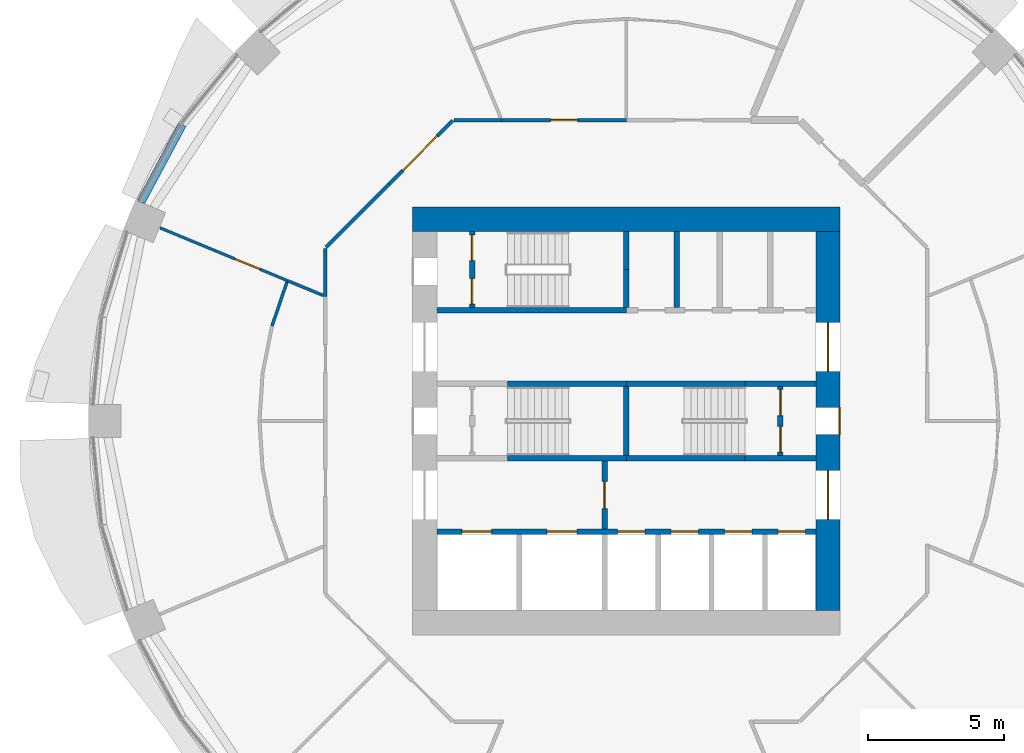
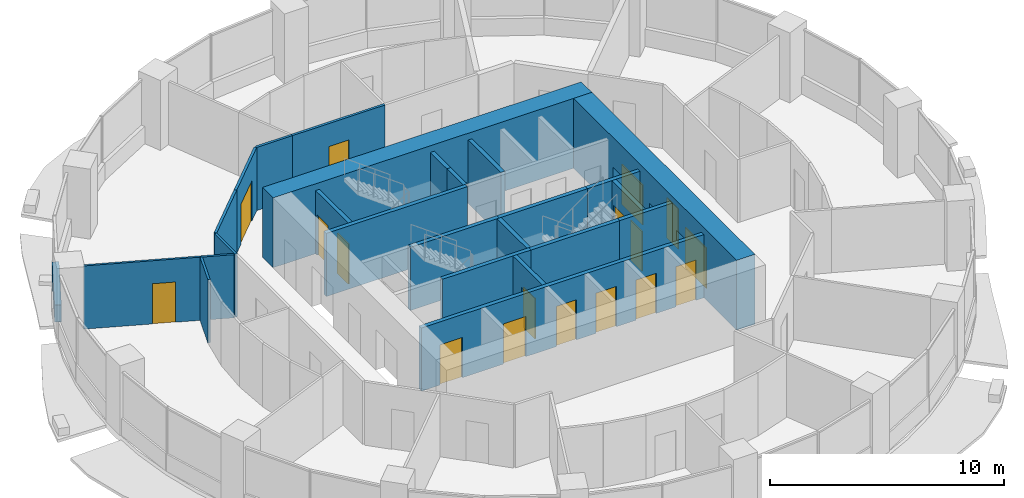
# One storey, part 9 of 15: 26 walls, 17 doors, 17 openings.
"""IFC4 building model written with IfcOpenShell, lengths in metres."""

from ifc_helpers import new_model, si_unit, direction, frame, frame_2d, origin, place, context, subcontext, project, spatial, rectangle, extrude, material, layer, layer_set, type_object, element, fill, save


model = new_model("IFC4")

# Units and contexts
model_context = context("Model", 3, precision=1e-05, world=origin(), true_north=direction((0.0, 1.0)))
body_context = subcontext(model_context, "Body", "Model", "MODEL_VIEW")
ifc_project = project(units=[si_unit("LENGTHUNIT", "METRE"), si_unit("AREAUNIT", "SQUARE_METRE"), si_unit("VOLUMEUNIT", "CUBIC_METRE"), si_unit("PLANEANGLEUNIT", "RADIAN"), si_unit("MASSUNIT", "GRAM", prefix="KILO")], contexts=[model_context])

# Site, building, storey
site_placement = place(None, origin())
site = spatial("IfcSite", under=ifc_project, at=site_placement, CompositionType="ELEMENT")
building_placement = place(site_placement, origin())
building = spatial("IfcBuilding", under=site, at=building_placement, Name="Polderwave Tower", CompositionType="ELEMENT")
storey_placement = place(building_placement, frame((0.0, 0.0, 26.199951171875)))
storey = spatial("IfcBuildingStorey", under=building, at=storey_placement, Name="L06", CompositionType="ELEMENT", Elevation=26.199951171875)

# Wall
ifc_material_1 = material(Name="Concrete C80/95", Category="concrete")
ifc_layer_1 = layer(ifc_material_1, 0.89990234375)
ifc_layer_set_1 = layer_set([ifc_layer_1], Name="CORE WALL 900 C80/95")
wall_type_1 = type_object("IfcWallType", Name="CORE WALL 900 C80/95", PredefinedType="SHEAR", material=ifc_layer_set_1)
wall_1_placement = place(storey_placement, frame((-7.8740234375, 7.424072265625, 0.0), z_axis=(0.0, 0.0, 1.0), x_axis=(1.0, 0.0, 0.0)))
element("IfcWall", 1, at=wall_1_placement, inside=storey, type_object=wall_type_1, Name="ST-CORE-L06-N", PredefinedType="SHEAR", context=body_context, shape_type="SweptSolid", body=[
    extrude(rectangle(XDim=15.748046875, YDim=0.89990234375, at=frame_2d((7.8740234375, 0.0))), origin(), (0.0, 0.0, 1.0), 3.650146484375),
])

# Wall, openings, doors
wall_2_placement = place(storey_placement, frame((7.424072265625, -6.97412109375, 0.0), z_axis=(0.0, 0.0, 1.0), x_axis=(0.0, 1.0, 0.0)))
wall_2 = element("IfcWall", 2, at=wall_2_placement, inside=storey, type_object=wall_type_1, Name="ST-CORE-L06-E", PredefinedType="SHEAR", context=body_context, shape_type="SweptSolid", body=[
    extrude(rectangle(XDim=13.9482421875, YDim=0.89990234375, at=frame_2d((6.97412109375, 0.0))), origin(), (0.0, 0.0, 1.0), 3.650146484375),
])
opening_1_placement = place(wall_2_placement, frame((6.47412109375, 0.0, 0.0)))
opening_1 = element("IfcOpeningElement", 3, at=opening_1_placement, cuts=wall_2, Name="Opening L06-D22", PredefinedType="OPENING", context=body_context, shape_type="SweptSolid", body=[
    extrude(rectangle(XDim=1.0, YDim=2.10009765625, at=frame_2d((0.5, 1.050048828125))), frame((0.0, 0.4599609375, 0.0), z_axis=(0.0, -1.0, 0.0), x_axis=(1.0, 0.0, 0.0)), (0.0, 0.0, 1.0), 0.919921875),
])
opening_2_placement = place(wall_2_placement, frame((3.349609375, 0.0, 0.0)))
opening_2 = element("IfcOpeningElement", 4, at=opening_2_placement, cuts=wall_2, Name="Opening L06-D23", PredefinedType="OPENING", context=body_context, shape_type="SweptSolid", body=[
    extrude(rectangle(XDim=1.800048828125, YDim=2.10009765625, at=frame_2d((0.89990234375, 1.050048828125))), frame((0.0, 0.4599609375, 0.0), z_axis=(0.0, -1.0, 0.0), x_axis=(1.0, 0.0, 0.0)), (0.0, 0.0, 1.0), 0.919921875),
])
opening_3_placement = place(wall_2_placement, frame((8.798583984375, 0.0, 0.0)))
opening_3 = element("IfcOpeningElement", 5, at=opening_3_placement, cuts=wall_2, Name="Opening L06-D24", PredefinedType="OPENING", context=body_context, shape_type="SweptSolid", body=[
    extrude(rectangle(XDim=1.800048828125, YDim=2.10009765625, at=frame_2d((0.89990234375, 1.050048828125))), frame((0.0, 0.4599609375, 0.0), z_axis=(0.0, -1.0, 0.0), x_axis=(1.0, 0.0, 0.0)), (0.0, 0.0, 1.0), 0.919921875),
])
ifc_material_2 = material(Name="Steel fire door", Category="steel")
door_type_1 = type_object("IfcDoorType", Name="Lobby entry door pair 1800", OperationType="DOUBLE_DOOR_SINGLE_SWING", PredefinedType="DOOR", material=ifc_material_2)
door_1_placement = place(opening_2_placement, frame((1.800048828125, 0.0, 0.0), z_axis=(0.0, 0.0, 1.0), x_axis=(-1.0, 0.0, 0.0)))
door_1 = element("IfcDoor", 6, at=door_1_placement, inside=storey, type_object=door_type_1, Name="South lobby entry door", OperationType="DOUBLE_DOOR_SINGLE_SWING", OverallHeight=2.10009765625, OverallWidth=1.800048828125, PredefinedType="DOOR", context=body_context, shape_type="SweptSolid", body=[
    extrude(rectangle(XDim=1.800048828125, YDim=2.10009765625, at=frame_2d((0.89990234375, 1.050048828125))), frame((0.0, 0.02490234375, 0.0), z_axis=(0.0, -1.0, 0.0), x_axis=(1.0, 0.0, 0.0)), (0.0, 0.0, 1.0), 0.050048828125),
])
fill(opening_2, door_1)
door_2_placement = place(opening_3_placement, frame((1.800048828125, 0.0, 0.0), z_axis=(0.0, 0.0, 1.0), x_axis=(-1.0, 0.0, 0.0)))
door_2 = element("IfcDoor", 7, at=door_2_placement, inside=storey, type_object=door_type_1, Name="North lobby entry door", OperationType="DOUBLE_DOOR_SINGLE_SWING", OverallHeight=2.10009765625, OverallWidth=1.800048828125, PredefinedType="DOOR", context=body_context, shape_type="SweptSolid", body=[
    extrude(rectangle(XDim=1.800048828125, YDim=2.10009765625, at=frame_2d((0.89990234375, 1.050048828125))), frame((0.0, 0.02490234375, 0.0), z_axis=(0.0, -1.0, 0.0), x_axis=(1.0, 0.0, 0.0)), (0.0, 0.0, 1.0), 0.050048828125),
])
fill(opening_3, door_2)
door_type_2 = type_object("IfcDoorType", Name="Stair door 1000", OperationType="NOTDEFINED", PredefinedType="DOOR", material=ifc_material_2)
door_3_placement = place(opening_1_placement, frame((1.0, 0.0, 0.0), z_axis=(0.0, 0.0, 1.0), x_axis=(-1.0, 0.0, 0.0)))
door_3 = element("IfcDoor", 8, at=door_3_placement, inside=storey, type_object=door_type_2, Name="Stair B entry door", OperationType="SINGLE_SWING_LEFT", OverallHeight=2.10009765625, OverallWidth=1.0, PredefinedType="DOOR", context=body_context, shape_type="SweptSolid", body=[
    extrude(rectangle(XDim=1.0, YDim=2.10009765625, at=frame_2d((0.5, 1.050048828125))), frame((0.0, 0.4501953125, 0.0), z_axis=(0.0, -1.0, 0.0), x_axis=(1.0, 0.0, 0.0)), (0.0, 0.0, 1.0), 0.050048828125),
])
fill(opening_1, door_3)

# Wall
ifc_material_3 = material(Name="Concrete C50/60 (board-marked)", Category="concrete")
ifc_layer_2 = layer(ifc_material_3, 0.300048828125)
ifc_layer_set_2 = layer_set([ifc_layer_2], Name="Concrete spandrel upstand C50/60")
wall_type_2 = type_object("IfcWallType", Name="Concrete spandrel upstand C50/60", PredefinedType="SOLIDWALL", material=ifc_layer_set_2)
wall_3_placement = place(storey_placement, frame((-16.34521484375, 10.90380859375, 0.0), z_axis=(0.0, 0.0, 1.0), x_axis=(-0.471217656413, -0.882016961449, 0.0)))
element("IfcWall", 9, at=wall_3_placement, inside=storey, type_object=wall_type_2, Name="Spandrel L06 7b", PredefinedType="SOLIDWALL", context=body_context, shape_type="SweptSolid", body=[
    extrude(rectangle(XDim=3.220458984375, YDim=0.300048828125, at=frame_2d((1.6103515625, 0.0))), origin(), (0.0, 0.0, 1.0), 0.900146484375),
])

# Wall, opening, door
ifc_material_4 = material(Name="Gypsum board partition")
ifc_layer_3 = layer(ifc_material_4, 0.199951171875)
ifc_layer_set_3 = layer_set([ifc_layer_3], Name="Core room partition 200")
wall_type_3 = type_object("IfcWallType", Name="Core room partition 200", PredefinedType="PARTITIONING", material=ifc_layer_set_3)
wall_4_placement = place(storey_placement, frame((-0.800048828125, -3.97412109375, 0.0), z_axis=(0.0, 0.0, 1.0), x_axis=(0.0, 1.0, 0.0)))
wall_4 = element("IfcWall", 10, at=wall_4_placement, inside=storey, type_object=wall_type_3, Name="L06 fire-fighting lobby wall", PredefinedType="PARTITIONING", context=body_context, shape_type="SweptSolid", body=[
    extrude(rectangle(XDim=2.4990234375, YDim=0.199951171875, at=frame_2d((1.24951171875, 0.0))), origin(), (0.0, 0.0, 1.0), 3.300048828125),
])
opening_4_placement = place(wall_4_placement, frame((0.74951171875, 0.0, 0.0)))
opening_4 = element("IfcOpeningElement", 11, at=opening_4_placement, cuts=wall_4, Name="Opening L06-D13", PredefinedType="OPENING", context=body_context, shape_type="SweptSolid", body=[
    extrude(rectangle(XDim=1.0, YDim=2.10009765625, at=frame_2d((0.5, 1.050048828125))), frame((0.0, 0.10986328125, 0.0), z_axis=(0.0, -1.0, 0.0), x_axis=(1.0, 0.0, 0.0)), (0.0, 0.0, 1.0), 0.219970703125),
])
door_type_3 = type_object("IfcDoorType", Name="Lobby fire door 1000", OperationType="NOTDEFINED", PredefinedType="DOOR", material=ifc_material_2)
door_4_placement = place(opening_4_placement, frame((1.0, 0.0, 0.0), z_axis=(0.0, 0.0, 1.0), x_axis=(-1.0, 0.0, 0.0)))
door_4 = element("IfcDoor", 12, at=door_4_placement, inside=storey, type_object=door_type_3, Name="Fire-fighting lobby door", OperationType="SINGLE_SWING_LEFT", OverallHeight=2.10009765625, OverallWidth=1.0, PredefinedType="DOOR", context=body_context, shape_type="SweptSolid", body=[
    extrude(rectangle(XDim=1.0, YDim=2.10009765625, at=frame_2d((0.5, 1.050048828125))), frame((0.0, 0.02490234375, 0.0), z_axis=(0.0, -1.0, 0.0), x_axis=(1.0, 0.0, 0.0)), (0.0, 0.0, 1.0), 0.050048828125),
])
fill(opening_4, door_4)

# Wall
wall_5_placement = place(storey_placement, frame((1.86083984375, 4.174072265625, 0.0), z_axis=(0.0, 0.0, 1.0), x_axis=(0.0, 1.0, 0.0)))
element("IfcWall", 13, at=wall_5_placement, inside=storey, type_object=wall_type_3, Name="L06 room partition N1", PredefinedType="PARTITIONING", context=body_context, shape_type="SweptSolid", body=[
    extrude(rectangle(XDim=2.800048828125, YDim=0.199951171875, at=frame_2d((1.39990234375, 0.0))), origin(), (0.0, 0.0, 1.0), 3.300048828125),
])

# Wall, openings, doors
wall_6_placement = place(storey_placement, frame((5.674072265625, -1.27490234375, 0.0), z_axis=(0.0, 0.0, 1.0), x_axis=(0.0, 1.0, 0.0)))
wall_6 = element("IfcWall", 14, at=wall_6_placement, inside=storey, type_object=wall_type_3, Name="L06 smoke lobby wall B", PredefinedType="PARTITIONING", context=body_context, shape_type="SweptSolid", body=[
    extrude(rectangle(XDim=2.5498046875, YDim=0.199951171875, at=frame_2d((1.27490234375, 0.0))), origin(), (0.0, 0.0, 1.0), 3.300048828125),
])
opening_5_placement = place(wall_6_placement, frame((0.125, 0.0, 0.0)))
opening_5 = element("IfcOpeningElement", 15, at=opening_5_placement, cuts=wall_6, Name="Opening L06-D09", PredefinedType="OPENING", context=body_context, shape_type="SweptSolid", body=[
    extrude(rectangle(XDim=0.949951171875, YDim=2.10009765625, at=frame_2d((0.47509765625, 1.050048828125))), frame((0.0, 0.10986328125, 0.0), z_axis=(0.0, -1.0, 0.0), x_axis=(1.0, 0.0, 0.0)), (0.0, 0.0, 1.0), 0.219970703125),
])
opening_6_placement = place(wall_6_placement, frame((1.47509765625, 0.0, 0.0)))
opening_6 = element("IfcOpeningElement", 16, at=opening_6_placement, cuts=wall_6, Name="Opening L06-D10", PredefinedType="OPENING", context=body_context, shape_type="SweptSolid", body=[
    extrude(rectangle(XDim=0.949951171875, YDim=2.10009765625, at=frame_2d((0.47509765625, 1.050048828125))), frame((0.0, 0.10986328125, 0.0), z_axis=(0.0, -1.0, 0.0), x_axis=(1.0, 0.0, 0.0)), (0.0, 0.0, 1.0), 0.219970703125),
])
door_type_4 = type_object("IfcDoorType", Name="Smoke lobby door 950", OperationType="NOTDEFINED", PredefinedType="DOOR", material=ifc_material_2)
door_5_placement = place(opening_5_placement, frame((0.949951171875, 0.0, 0.0), z_axis=(0.0, 0.0, 1.0), x_axis=(-1.0, 0.0, 0.0)))
door_5 = element("IfcDoor", 17, at=door_5_placement, inside=storey, type_object=door_type_4, Name="Stair B smoke lobby inner door", OperationType="SINGLE_SWING_RIGHT", OverallHeight=2.10009765625, OverallWidth=0.949951171875, PredefinedType="DOOR", context=body_context, shape_type="SweptSolid", body=[
    extrude(rectangle(XDim=0.949951171875, YDim=2.10009765625, at=frame_2d((0.47509765625, 1.050048828125))), frame((0.0, 0.02490234375, 0.0), z_axis=(0.0, -1.0, 0.0), x_axis=(1.0, 0.0, 0.0)), (0.0, 0.0, 1.0), 0.050048828125),
])
fill(opening_5, door_5)
door_6_placement = place(opening_6_placement, frame((0.949951171875, 0.0, 0.0), z_axis=(0.0, 0.0, 1.0), x_axis=(-1.0, 0.0, 0.0)))
door_6 = element("IfcDoor", 18, at=door_6_placement, inside=storey, type_object=door_type_4, Name="Stair B smoke lobby inner door", OperationType="SINGLE_SWING_LEFT", OverallHeight=2.10009765625, OverallWidth=0.949951171875, PredefinedType="DOOR", context=body_context, shape_type="SweptSolid", body=[
    extrude(rectangle(XDim=0.949951171875, YDim=2.10009765625, at=frame_2d((0.47509765625, 1.050048828125))), frame((0.0, 0.02490234375, 0.0), z_axis=(0.0, -1.0, 0.0), x_axis=(1.0, 0.0, 0.0)), (0.0, 0.0, 1.0), 0.050048828125),
])
fill(opening_6, door_6)

wall_7_placement = place(storey_placement, frame((-5.674072265625, 4.174072265625, 0.0), z_axis=(0.0, 0.0, 1.0), x_axis=(0.0, 1.0, 0.0)))
wall_7 = element("IfcWall", 19, at=wall_7_placement, inside=storey, type_object=wall_type_3, Name="L06 smoke lobby wall C", PredefinedType="PARTITIONING", context=body_context, shape_type="SweptSolid", body=[
    extrude(rectangle(XDim=2.800048828125, YDim=0.199951171875, at=frame_2d((1.39990234375, 0.0))), origin(), (0.0, 0.0, 1.0), 3.300048828125),
])
opening_7_placement = place(wall_7_placement, frame((0.125, 0.0, 0.0)))
opening_7 = element("IfcOpeningElement", 20, at=opening_7_placement, cuts=wall_7, Name="Opening L06-D11", PredefinedType="OPENING", context=body_context, shape_type="SweptSolid", body=[
    extrude(rectangle(XDim=0.949951171875, YDim=2.10009765625, at=frame_2d((0.47509765625, 1.050048828125))), frame((0.0, 0.10986328125, 0.0), z_axis=(0.0, -1.0, 0.0), x_axis=(1.0, 0.0, 0.0)), (0.0, 0.0, 1.0), 0.219970703125),
])
opening_8_placement = place(wall_7_placement, frame((1.72509765625, 0.0, 0.0)))
opening_8 = element("IfcOpeningElement", 21, at=opening_8_placement, cuts=wall_7, Name="Opening L06-D12", PredefinedType="OPENING", context=body_context, shape_type="SweptSolid", body=[
    extrude(rectangle(XDim=0.949951171875, YDim=2.10009765625, at=frame_2d((0.47509765625, 1.050048828125))), frame((0.0, 0.10986328125, 0.0), z_axis=(0.0, -1.0, 0.0), x_axis=(1.0, 0.0, 0.0)), (0.0, 0.0, 1.0), 0.219970703125),
])
door_7_placement = place(opening_7_placement, origin())
door_7 = element("IfcDoor", 22, at=door_7_placement, inside=storey, type_object=door_type_4, Name="Stair C smoke lobby inner door", OperationType="SINGLE_SWING_LEFT", OverallHeight=2.10009765625, OverallWidth=0.949951171875, PredefinedType="DOOR", context=body_context, shape_type="SweptSolid", body=[
    extrude(rectangle(XDim=0.949951171875, YDim=2.10009765625, at=frame_2d((0.47509765625, 1.050048828125))), frame((0.0, 0.02490234375, 0.0), z_axis=(0.0, -1.0, 0.0), x_axis=(1.0, 0.0, 0.0)), (0.0, 0.0, 1.0), 0.050048828125),
])
fill(opening_7, door_7)
door_8_placement = place(opening_8_placement, origin())
door_8 = element("IfcDoor", 23, at=door_8_placement, inside=storey, type_object=door_type_4, Name="Stair C smoke lobby inner door", OperationType="SINGLE_SWING_RIGHT", OverallHeight=2.10009765625, OverallWidth=0.949951171875, PredefinedType="DOOR", context=body_context, shape_type="SweptSolid", body=[
    extrude(rectangle(XDim=0.949951171875, YDim=2.10009765625, at=frame_2d((0.47509765625, 1.050048828125))), frame((0.0, 0.02490234375, 0.0), z_axis=(0.0, -1.0, 0.0), x_axis=(1.0, 0.0, 0.0)), (0.0, 0.0, 1.0), 0.050048828125),
])
fill(opening_8, door_8)

ifc_material_5 = material(Name="Concrete C50/60", Category="concrete")
ifc_layer_4 = layer(ifc_material_5, 0.199951171875)
ifc_layer_set_4 = layer_set([ifc_layer_4], Name="Core web wall 200")
wall_type_4 = type_object("IfcWallType", Name="Core web wall 200", PredefinedType="SHEAR", material=ifc_layer_set_4)
wall_8_placement = place(storey_placement, frame((-6.97412109375, -4.073974609375, 0.0), z_axis=(0.0, 0.0, 1.0), x_axis=(1.0, 0.0, 0.0)))
wall_8 = element("IfcWall", 24, at=wall_8_placement, inside=storey, type_object=wall_type_4, Name="L06 south front wall", PredefinedType="SHEAR", context=body_context, shape_type="SweptSolid", body=[
    extrude(rectangle(XDim=13.9482421875, YDim=0.199951171875, at=frame_2d((6.97412109375, 0.0))), origin(), (0.0, 0.0, 1.0), 3.300048828125),
])
opening_9_placement = place(wall_8_placement, frame((0.91845703125, 0.0, 0.0)))
opening_9 = element("IfcOpeningElement", 25, at=opening_9_placement, cuts=wall_8, Name="Opening L06-D01", PredefinedType="OPENING", context=body_context, shape_type="SweptSolid", body=[
    extrude(rectangle(XDim=1.10009765625, YDim=2.10009765625, at=frame_2d((0.550048828125, 1.050048828125))), frame((0.0, 0.10986328125, 0.0), z_axis=(0.0, -1.0, 0.0), x_axis=(1.0, 0.0, 0.0)), (0.0, 0.0, 1.0), 0.219970703125),
])
opening_10_placement = place(wall_8_placement, frame((4.055419921875, 0.0, 0.0)))
opening_10 = element("IfcOpeningElement", 26, at=opening_10_placement, cuts=wall_8, Name="Opening L06-D02", PredefinedType="OPENING", context=body_context, shape_type="SweptSolid", body=[
    extrude(rectangle(XDim=1.10009765625, YDim=2.10009765625, at=frame_2d((0.550048828125, 1.050048828125))), frame((0.0, 0.10986328125, 0.0), z_axis=(0.0, -1.0, 0.0), x_axis=(1.0, 0.0, 0.0)), (0.0, 0.0, 1.0), 0.219970703125),
])
opening_11_placement = place(wall_8_placement, frame((6.658203125, 0.0, 0.0)))
opening_11 = element("IfcOpeningElement", 27, at=opening_11_placement, cuts=wall_8, Name="Opening L06-D03", PredefinedType="OPENING", context=body_context, shape_type="SweptSolid", body=[
    extrude(rectangle(XDim=1.0, YDim=2.10009765625, at=frame_2d((0.5, 1.050048828125))), frame((0.0, 0.10986328125, 0.0), z_axis=(0.0, -1.0, 0.0), x_axis=(1.0, 0.0, 0.0)), (0.0, 0.0, 1.0), 0.219970703125),
])
opening_12_placement = place(wall_8_placement, frame((8.626708984375, 0.0, 0.0)))
opening_12 = element("IfcOpeningElement", 28, at=opening_12_placement, cuts=wall_8, Name="Opening L06-D04", PredefinedType="OPENING", context=body_context, shape_type="SweptSolid", body=[
    extrude(rectangle(XDim=1.0, YDim=2.10009765625, at=frame_2d((0.5, 1.050048828125))), frame((0.0, 0.10986328125, 0.0), z_axis=(0.0, -1.0, 0.0), x_axis=(1.0, 0.0, 0.0)), (0.0, 0.0, 1.0), 0.219970703125),
])
opening_13_placement = place(wall_8_placement, frame((10.59521484375, 0.0, 0.0)))
opening_13 = element("IfcOpeningElement", 29, at=opening_13_placement, cuts=wall_8, Name="Opening L06-D05", PredefinedType="OPENING", context=body_context, shape_type="SweptSolid", body=[
    extrude(rectangle(XDim=1.0, YDim=2.10009765625, at=frame_2d((0.5, 1.050048828125))), frame((0.0, 0.10986328125, 0.0), z_axis=(0.0, -1.0, 0.0), x_axis=(1.0, 0.0, 0.0)), (0.0, 0.0, 1.0), 0.219970703125),
])
opening_14_placement = place(wall_8_placement, frame((12.563720703125, 0.0, 0.0)))
opening_14 = element("IfcOpeningElement", 30, at=opening_14_placement, cuts=wall_8, Name="Opening L06-D06", PredefinedType="OPENING", context=body_context, shape_type="SweptSolid", body=[
    extrude(rectangle(XDim=1.0, YDim=2.10009765625, at=frame_2d((0.5, 1.050048828125))), frame((0.0, 0.10986328125, 0.0), z_axis=(0.0, -1.0, 0.0), x_axis=(1.0, 0.0, 0.0)), (0.0, 0.0, 1.0), 0.219970703125),
])
ifc_material_6 = material(Name="Stainless steel", Category="steel")
door_type_5 = type_object("IfcDoorType", Name="Fire-fighting lift landing door 1100", OperationType="DOUBLE_DOOR_SLIDING", PredefinedType="DOOR", material=ifc_material_6)
door_9_placement = place(opening_9_placement, origin())
door_9 = element("IfcDoor", 31, at=door_9_placement, inside=storey, type_object=door_type_5, Name="Fire-fighting lift FF1 landing door", OperationType="DOUBLE_DOOR_SLIDING", OverallHeight=2.10009765625, OverallWidth=1.10009765625, PredefinedType="DOOR", context=body_context, shape_type="SweptSolid", body=[
    extrude(rectangle(XDim=1.10009765625, YDim=2.10009765625, at=frame_2d((0.550048828125, 1.050048828125))), frame((0.0, 0.02490234375, 0.0), z_axis=(0.0, -1.0, 0.0), x_axis=(1.0, 0.0, 0.0)), (0.0, 0.0, 1.0), 0.050048828125),
])
fill(opening_9, door_9)
door_10_placement = place(opening_10_placement, origin())
door_10 = element("IfcDoor", 32, at=door_10_placement, inside=storey, type_object=door_type_5, Name="Fire-fighting lift FF2 landing door", OperationType="DOUBLE_DOOR_SLIDING", OverallHeight=2.10009765625, OverallWidth=1.10009765625, PredefinedType="DOOR", context=body_context, shape_type="SweptSolid", body=[
    extrude(rectangle(XDim=1.10009765625, YDim=2.10009765625, at=frame_2d((0.550048828125, 1.050048828125))), frame((0.0, 0.02490234375, 0.0), z_axis=(0.0, -1.0, 0.0), x_axis=(1.0, 0.0, 0.0)), (0.0, 0.0, 1.0), 0.050048828125),
])
fill(opening_10, door_10)
door_type_6 = type_object("IfcDoorType", Name="Lift landing door 1000", OperationType="DOUBLE_DOOR_SLIDING", PredefinedType="DOOR", material=ifc_material_6)
door_11_placement = place(opening_11_placement, origin())
door_11 = element("IfcDoor", 33, at=door_11_placement, inside=storey, type_object=door_type_6, Name="Lift LL1 landing door", OperationType="DOUBLE_DOOR_SLIDING", OverallHeight=2.10009765625, OverallWidth=1.0, PredefinedType="DOOR", context=body_context, shape_type="SweptSolid", body=[
    extrude(rectangle(XDim=1.0, YDim=2.10009765625, at=frame_2d((0.5, 1.050048828125))), frame((0.0, 0.02490234375, 0.0), z_axis=(0.0, -1.0, 0.0), x_axis=(1.0, 0.0, 0.0)), (0.0, 0.0, 1.0), 0.050048828125),
])
fill(opening_11, door_11)
door_12_placement = place(opening_12_placement, origin())
door_12 = element("IfcDoor", 34, at=door_12_placement, inside=storey, type_object=door_type_6, Name="Lift LL2 landing door", OperationType="DOUBLE_DOOR_SLIDING", OverallHeight=2.10009765625, OverallWidth=1.0, PredefinedType="DOOR", context=body_context, shape_type="SweptSolid", body=[
    extrude(rectangle(XDim=1.0, YDim=2.10009765625, at=frame_2d((0.5, 1.050048828125))), frame((0.0, 0.02490234375, 0.0), z_axis=(0.0, -1.0, 0.0), x_axis=(1.0, 0.0, 0.0)), (0.0, 0.0, 1.0), 0.050048828125),
])
fill(opening_12, door_12)
door_13_placement = place(opening_13_placement, origin())
door_13 = element("IfcDoor", 35, at=door_13_placement, inside=storey, type_object=door_type_6, Name="Lift LL3 landing door", OperationType="DOUBLE_DOOR_SLIDING", OverallHeight=2.10009765625, OverallWidth=1.0, PredefinedType="DOOR", context=body_context, shape_type="SweptSolid", body=[
    extrude(rectangle(XDim=1.0, YDim=2.10009765625, at=frame_2d((0.5, 1.050048828125))), frame((0.0, 0.02490234375, 0.0), z_axis=(0.0, -1.0, 0.0), x_axis=(1.0, 0.0, 0.0)), (0.0, 0.0, 1.0), 0.050048828125),
])
fill(opening_13, door_13)
door_14_placement = place(opening_14_placement, origin())
door_14 = element("IfcDoor", 36, at=door_14_placement, inside=storey, type_object=door_type_6, Name="Lift LL4 landing door", OperationType="DOUBLE_DOOR_SLIDING", OverallHeight=2.10009765625, OverallWidth=1.0, PredefinedType="DOOR", context=body_context, shape_type="SweptSolid", body=[
    extrude(rectangle(XDim=1.0, YDim=2.10009765625, at=frame_2d((0.5, 1.050048828125))), frame((0.0, 0.02490234375, 0.0), z_axis=(0.0, -1.0, 0.0), x_axis=(1.0, 0.0, 0.0)), (0.0, 0.0, 1.0), 0.050048828125),
])
fill(opening_14, door_14)

# Walls
wall_9_placement = place(storey_placement, frame((-6.97412109375, 4.073974609375, 0.0), z_axis=(0.0, 0.0, 1.0), x_axis=(1.0, 0.0, 0.0)))
element("IfcWall", 37, at=wall_9_placement, inside=storey, type_object=wall_type_4, Name="L06 north front wall 1", PredefinedType="SHEAR", context=body_context, shape_type="SweptSolid", body=[
    extrude(rectangle(XDim=6.97412109375, YDim=0.199951171875, at=frame_2d((3.487060546875, 0.0))), origin(), (0.0, 0.0, 1.0), 3.300048828125),
])
for number, where, z_axis, x_axis, name in (
    (38, (-4.3740234375, -1.375, 0.0), (0.0, 0.0, 1.0), (1.0, 0.0, 0.0), "L06 south stair wall 2"),
    (39, (0.0, -1.375, 0.0), (0.0, 0.0, 1.0), (1.0, 0.0, 0.0), "L06 south stair wall 3"),
):
    element("IfcWall", number, at=place(storey_placement, frame(where, z_axis=z_axis, x_axis=x_axis)), inside=storey, type_object=wall_type_4, Name=name, PredefinedType="SHEAR", context=body_context, shape_type="SweptSolid", body=[
        extrude(rectangle(XDim=4.3740234375, YDim=0.199951171875, at=frame_2d((2.18701171875, 0.0))), origin(), (0.0, 0.0, 1.0), 3.300048828125),
    ])
wall_10_placement = place(storey_placement, frame((4.3740234375, -1.375, 0.0), z_axis=(0.0, 0.0, 1.0), x_axis=(1.0, 0.0, 0.0)))
element("IfcWall", 40, at=wall_10_placement, inside=storey, type_object=wall_type_4, Name="L06 south stair wall 4", PredefinedType="SHEAR", context=body_context, shape_type="SweptSolid", body=[
    extrude(rectangle(XDim=2.60009765625, YDim=0.199951171875, at=frame_2d((1.300048828125, 0.0))), origin(), (0.0, 0.0, 1.0), 3.300048828125),
])
for number, where, z_axis, x_axis, name in (
    (41, (-4.3740234375, 1.375, 0.0), (0.0, 0.0, 1.0), (1.0, 0.0, 0.0), "L06 north stair wall 2"),
    (42, (0.0, 1.375, 0.0), (0.0, 0.0, 1.0), (1.0, 0.0, 0.0), "L06 north stair wall 3"),
):
    element("IfcWall", number, at=place(storey_placement, frame(where, z_axis=z_axis, x_axis=x_axis)), inside=storey, type_object=wall_type_4, Name=name, PredefinedType="SHEAR", context=body_context, shape_type="SweptSolid", body=[
        extrude(rectangle(XDim=4.3740234375, YDim=0.199951171875, at=frame_2d((2.18701171875, 0.0))), origin(), (0.0, 0.0, 1.0), 3.300048828125),
    ])
wall_11_placement = place(storey_placement, frame((4.3740234375, 1.375, 0.0), z_axis=(0.0, 0.0, 1.0), x_axis=(1.0, 0.0, 0.0)))
element("IfcWall", 43, at=wall_11_placement, inside=storey, type_object=wall_type_4, Name="L06 north stair wall 4", PredefinedType="SHEAR", context=body_context, shape_type="SweptSolid", body=[
    extrude(rectangle(XDim=2.60009765625, YDim=0.199951171875, at=frame_2d((1.300048828125, 0.0))), origin(), (0.0, 0.0, 1.0), 3.300048828125),
])
wall_12_placement = place(storey_placement, frame((0.0, -1.27490234375, 0.0), z_axis=(0.0, 0.0, 1.0), x_axis=(0.0, 1.0, 0.0)))
element("IfcWall", 44, at=wall_12_placement, inside=storey, type_object=wall_type_4, Name="L06 wall between the stairs", PredefinedType="SHEAR", context=body_context, shape_type="SweptSolid", body=[
    extrude(rectangle(XDim=2.5498046875, YDim=0.199951171875, at=frame_2d((1.27490234375, 0.0))), origin(), (0.0, 0.0, 1.0), 3.300048828125),
])
wall_13_placement = place(storey_placement, frame((0.0, 4.174072265625, 0.0), z_axis=(0.0, 0.0, 1.0), x_axis=(0.0, 1.0, 0.0)))
element("IfcWall", 45, at=wall_13_placement, inside=storey, type_object=wall_type_4, Name="L06 stair C wall south", PredefinedType="SHEAR", context=body_context, shape_type="SweptSolid", body=[
    extrude(rectangle(XDim=1.39990234375, YDim=0.199951171875, at=frame_2d((0.699951171875, 0.0))), origin(), (0.0, 0.0, 1.0), 3.300048828125),
])
wall_14_placement = place(storey_placement, frame((0.0, 5.573974609375, 0.0), z_axis=(0.0, 0.0, 1.0), x_axis=(0.0, 1.0, 0.0)))
element("IfcWall", 46, at=wall_14_placement, inside=storey, type_object=wall_type_4, Name="L06 stair C wall north", PredefinedType="SHEAR", context=body_context, shape_type="SweptSolid", body=[
    extrude(rectangle(XDim=1.400146484375, YDim=0.199951171875, at=frame_2d((0.7001953125, 0.0))), origin(), (0.0, 0.0, 1.0), 3.300048828125),
])

# Wall, opening, door
ifc_material_7 = material(Name="Fire-resisting board on steel studs", Category="steel")
ifc_layer_5 = layer(ifc_material_7, 0.125)
ifc_layer_set_5 = layer_set([ifc_layer_5], Name="Corridor wall 125 mm EI 60")
wall_type_5 = type_object("IfcWallType", Name="Corridor wall 125 mm EI 60", PredefinedType="PARTITIONING", material=ifc_layer_set_5)
wall_15_placement = place(storey_placement, frame((-4.5869140625, 11.073974609375, 0.0), z_axis=(0.0, 0.0, 1.0), x_axis=(1.0, 0.0, 0.0)))
wall_15 = element("IfcWall", 47, at=wall_15_placement, inside=storey, type_object=wall_type_5, Name="IN-L06-W009", PredefinedType="PARTITIONING", context=body_context, shape_type="SweptSolid", body=[
    extrude(rectangle(XDim=4.5869140625, YDim=0.125, at=frame_2d((2.29345703125, 0.0))), origin(), (0.0, 0.0, 1.0), 3.300048828125),
])
opening_15_placement = place(wall_15_placement, frame((1.800048828125, 0.0, 0.0)))
opening_15 = element("IfcOpeningElement", 48, at=opening_15_placement, cuts=wall_15, Name="Opening L06-D55", PredefinedType="OPENING", context=body_context, shape_type="SweptSolid", body=[
    extrude(rectangle(XDim=1.0, YDim=2.10009765625, at=frame_2d((0.5, 1.050048828125))), frame((0.0, 0.072509765625, 0.0), z_axis=(0.0, -1.0, 0.0), x_axis=(1.0, 0.0, 0.0)), (0.0, 0.0, 1.0), 0.14501953125),
])
ifc_material_8 = material(Name="Timber fire door leaf", Category="wood")
door_type_7 = type_object("IfcDoorType", Name="Fire door FD30S 1000 x 2100", OperationType="NOTDEFINED", PredefinedType="DOOR", material=ifc_material_8)
door_15_placement = place(opening_15_placement, origin())
door_15 = element("IfcDoor", 49, at=door_15_placement, inside=storey, type_object=door_type_7, Name="Door L06-D55", OperationType="SINGLE_SWING_RIGHT", OverallHeight=2.10009765625, OverallWidth=1.0, PredefinedType="DOOR", context=body_context, shape_type="SweptSolid", body=[
    extrude(rectangle(XDim=1.0, YDim=2.10009765625, at=frame_2d((0.5, 1.050048828125))), frame((0.0, 0.02490234375, 0.0), z_axis=(0.0, -1.0, 0.0), x_axis=(1.0, 0.0, 0.0)), (0.0, 0.0, 1.0), 0.050048828125),
])
fill(opening_15, door_15)

wall_16_placement = place(storey_placement, frame((-8.722412109375, 8.722412109375, 0.0), z_axis=(0.0, 0.0, 1.0), x_axis=(0.707069784102, 0.707143776336, 0.0)))
wall_16 = element("IfcWall", 50, at=wall_16_placement, inside=storey, type_object=wall_type_5, Name="IN-L06-W010", PredefinedType="PARTITIONING", context=body_context, shape_type="SweptSolid", body=[
    extrude(rectangle(XDim=3.299560546875, YDim=0.125, at=frame_2d((1.64990234375, 0.0))), origin(), (0.0, 0.0, 1.0), 3.300048828125),
])
opening_16_placement = place(wall_16_placement, frame((0.699951171875, 0.0, 0.0)))
opening_16 = element("IfcOpeningElement", 51, at=opening_16_placement, cuts=wall_16, Name="Opening L06-D56", PredefinedType="OPENING", context=body_context, shape_type="SweptSolid", body=[
    extrude(rectangle(XDim=1.800048828125, YDim=2.10009765625, at=frame_2d((0.89990234375, 1.050048828125))), frame((0.0, 0.072509765625, 0.0), z_axis=(0.0, -1.0, 0.0), x_axis=(1.0, 0.0, 0.0)), (0.0, 0.0, 1.0), 0.14501953125),
])
ifc_material_9 = material(Name="Timber fire door leaves", Category="wood")
door_type_8 = type_object("IfcDoorType", Name="Double fire door FD30S 1800 x 2100", OperationType="NOTDEFINED", PredefinedType="DOOR", material=ifc_material_9)
door_16_placement = place(opening_16_placement, origin())
door_16 = element("IfcDoor", 52, at=door_16_placement, inside=storey, type_object=door_type_8, Name="Door L06-D56", OperationType="DOUBLE_DOOR_SINGLE_SWING", OverallHeight=2.10009765625, OverallWidth=1.800048828125, PredefinedType="DOOR", context=body_context, shape_type="SweptSolid", body=[
    extrude(rectangle(XDim=1.800048828125, YDim=2.10009765625, at=frame_2d((0.89990234375, 1.050048828125))), frame((0.0, 0.02490234375, 0.0), z_axis=(0.0, -1.0, 0.0), x_axis=(1.0, 0.0, 0.0)), (0.0, 0.0, 1.0), 0.050048828125),
])
fill(opening_16, door_16)

# Walls
for number, where, z_axis, x_axis, name in (
    (53, (-6.34521484375, 11.073974609375, 0.0), (0.0, 0.0, 1.0), (1.0, 0.0, 0.0), "IN-L06-W011"),
    (54, (-11.073974609375, 4.5869140625, 0.0), (0.0, 0.0, 1.0), (0.0, 1.0, 0.0), "IN-L06-W012"),
):
    element("IfcWall", number, at=place(storey_placement, frame(where, z_axis=z_axis, x_axis=x_axis)), inside=storey, type_object=wall_type_5, Name=name, PredefinedType="PARTITIONING", context=body_context, shape_type="SweptSolid", body=[
        extrude(rectangle(XDim=1.75830078125, YDim=0.125, at=frame_2d((0.879150390625, 0.0))), origin(), (0.0, 0.0, 1.0), 3.300048828125),
    ])
wall_17_placement = place(storey_placement, frame((-11.0556640625, 6.389404296875, 0.0), z_axis=(0.0, 0.0, 1.0), x_axis=(0.707143776336, 0.707069784102, 0.0)))
element("IfcWall", 55, at=wall_17_placement, inside=storey, type_object=wall_type_5, Name="IN-L06-W013", PredefinedType="PARTITIONING", context=body_context, shape_type="SweptSolid", body=[
    extrude(rectangle(XDim=3.299560546875, YDim=0.125, at=frame_2d((1.64990234375, 0.0))), origin(), (0.0, 0.0, 1.0), 3.300048828125),
])

# Wall, opening, door
ifc_material_10 = material(Name="Plasterboard on steel studs", Category="steel")
ifc_layer_6 = layer(ifc_material_10, 0.10009765625)
ifc_layer_set_6 = layer_set([ifc_layer_6], Name="Partition 100 mm plasterboard on steel studs")
wall_type_6 = type_object("IfcWallType", Name="Partition 100 mm plasterboard on steel studs", PredefinedType="PARTITIONING", material=ifc_layer_set_6)
wall_18_placement = place(storey_placement, frame((-12.472412109375, 5.166259765625, 0.0), z_axis=(0.0, 0.0, 1.0), x_axis=(-0.923881258966, 0.382679264308, 0.0)))
wall_18 = element("IfcWall", 56, at=wall_18_placement, inside=storey, type_object=wall_type_6, Name="IN-L06-W045", PredefinedType="PARTITIONING", context=body_context, shape_type="SweptSolid", body=[
    extrude(rectangle(XDim=5.070068359375, YDim=0.10009765625, at=frame_2d((2.53515625, 0.0))), origin(), (0.0, 0.0, 1.0), 3.300048828125),
])
opening_17_placement = place(wall_18_placement, frame((1.10009765625, 0.0, 0.0)))
opening_17 = element("IfcOpeningElement", 57, at=opening_17_placement, cuts=wall_18, Name="Opening L06-D64", PredefinedType="OPENING", context=body_context, shape_type="SweptSolid", body=[
    extrude(rectangle(XDim=1.0, YDim=2.10009765625, at=frame_2d((0.5, 1.050048828125))), frame((0.0, 0.06005859375, 0.0), z_axis=(0.0, -1.0, 0.0), x_axis=(1.0, 0.0, 0.0)), (0.0, 0.0, 1.0), 0.1201171875),
])
ifc_material_11 = material(Name="Timber veneer door leaf", Category="wood")
door_type_9 = type_object("IfcDoorType", Name="Single door 1000 x 2100", OperationType="NOTDEFINED", PredefinedType="DOOR", material=ifc_material_11)
door_17_placement = place(opening_17_placement, origin())
door_17 = element("IfcDoor", 58, at=door_17_placement, inside=storey, type_object=door_type_9, Name="Door L06-D64", OperationType="SINGLE_SWING_LEFT", OverallHeight=2.10009765625, OverallWidth=1.0, PredefinedType="DOOR", context=body_context, shape_type="SweptSolid", body=[
    extrude(rectangle(XDim=1.0, YDim=2.10009765625, at=frame_2d((0.5, 1.050048828125))), frame((0.0, 0.02490234375, 0.0), z_axis=(0.0, -1.0, 0.0), x_axis=(1.0, 0.0, 0.0)), (0.0, 0.0, 1.0), 0.050048828125),
])
fill(opening_17, door_17)

# Walls
ifc_material_12 = material(Name="Acoustic double plasterboard on steel studs", Category="steel")
ifc_layer_7 = layer(ifc_material_12, 0.110107421875)
ifc_layer_set_7 = layer_set([ifc_layer_7], Name="Partition 110 mm acoustic double board")
wall_type_7 = type_object("IfcWallType", Name="Partition 110 mm acoustic double board", PredefinedType="PARTITIONING", material=ifc_layer_set_7)
wall_19_placement = place(storey_placement, frame((-11.157470703125, 4.62158203125, 0.0), z_axis=(0.0, 0.0, 1.0), x_axis=(-0.923876757744, 0.382690131178, 0.0)))
element("IfcWall", 59, at=wall_19_placement, inside=storey, type_object=wall_type_7, Name="IN-L06-W044", PredefinedType="PARTITIONING", context=body_context, shape_type="SweptSolid", body=[
    extrude(rectangle(XDim=1.42333984375, YDim=0.110107421875, at=frame_2d((0.711669921875, 0.0))), origin(), (0.0, 0.0, 1.0), 3.300048828125),
])
wall_20_placement = place(storey_placement, frame((-13.038818359375, 3.49755859375, 0.0), z_axis=(0.0, 0.0, 1.0), x_axis=(0.3214684719, 0.946920282587, 0.0)))
element("IfcWall", 60, at=wall_20_placement, inside=storey, type_object=wall_type_7, Name="IN-L06-W048", PredefinedType="PARTITIONING", context=body_context, shape_type="SweptSolid", body=[
    extrude(rectangle(XDim=1.703369140625, YDim=0.110107421875, at=frame_2d((0.8515625, 0.0))), origin(), (0.0, 0.0, 1.0), 3.300048828125),
])

save(model, "model.ifc")
